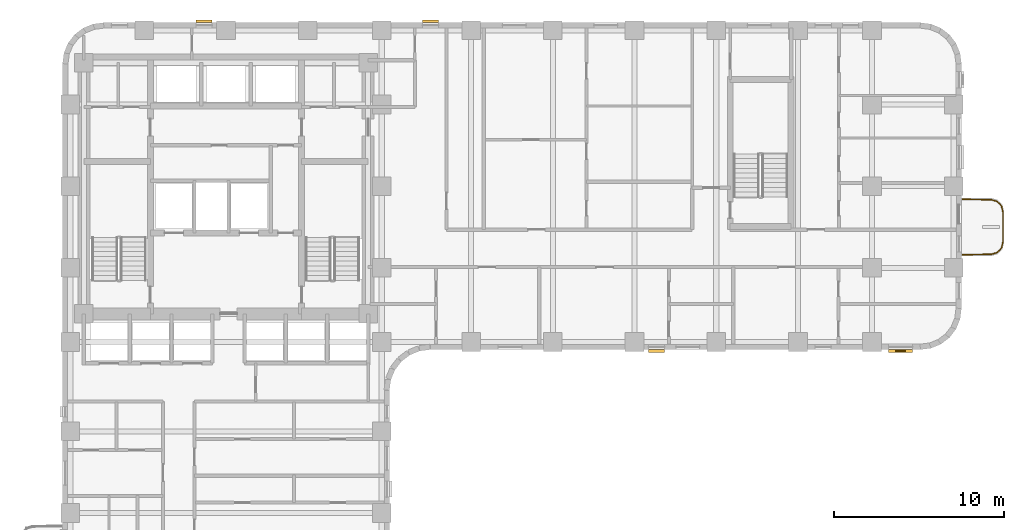
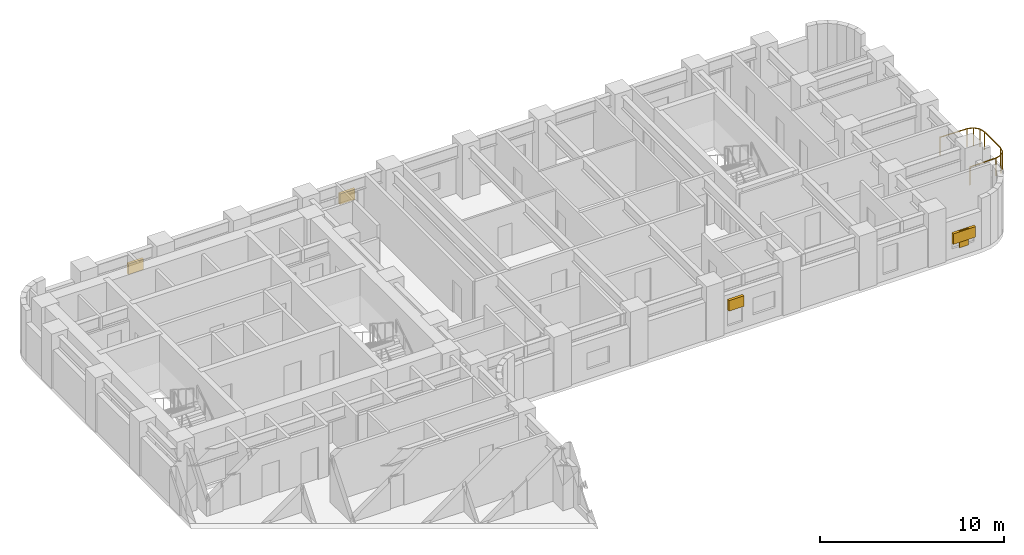
# One storey, part 10 of 12: 5 shading devices, 1 railing.
"""IFC4 building model written with IfcOpenShell, lengths in metres."""

import ifcopenshell
import ifcopenshell.guid

model = None  # the IFC model being written
_history = None  # IfcOwnerHistory: only IFC2X3 demands one
_inside = {}  # id of a spatial element -> (the spatial element, [elements in it])
_under = {}  # id of a project, library or spatial element -> (it, [spatial elements below it])
_declared = {}  # id of a project -> (the project, [libraries it declares])
_typed = {}  # id of a type object -> (the type object, [elements of that type])
_made_of = {}  # id of a material, layer set ... -> (it, [elements and type objects made of it])


def new_model(schema):
    """Start an empty IFC model of exactly this schema.

    Asked for "IFC4X3", IfcOpenShell would pick the latest addendum, in which some entities
    have other attributes; the version numbers below select the first issue.
    IFC2X3 requires an IfcOwnerHistory on every rooted entity: one is made here for all.
    """
    global model, _history
    if schema == "IFC4X3":
        model = ifcopenshell.file(schema_version=(4, 3, 0, 0))
    else:
        model = ifcopenshell.file(schema=schema)
    _inside.clear()
    _under.clear()
    _declared.clear()
    _typed.clear()
    _made_of.clear()
    _history = None
    if model.schema == "IFC2X3":
        org = make("IfcOrganization", Name="unknown")
        user = make(
            "IfcPersonAndOrganization",
            ThePerson=make("IfcPerson", FamilyName="unknown"),
            TheOrganization=org,
        )
        app = make(
            "IfcApplication",
            ApplicationDeveloper=org,
            Version="unknown",
            ApplicationFullName="unknown",
            ApplicationIdentifier="unknown",
        )
        _history = make(
            "IfcOwnerHistory",
            OwningUser=user,
            OwningApplication=app,
            ChangeAction="ADDED",
            CreationDate=0,
        )
    return model


def make(cls, **values):
    """One entity of the class cls with the attributes given. An attribute that is None is left unset."""
    return model.create_entity(
        cls, **{name: value for name, value in values.items() if value is not None}
    )


def rooted(cls, **values):
    """An entity with a GlobalId (a new one), such as an element, a storey or a relation."""
    return make(cls, GlobalId=ifcopenshell.guid.new(), OwnerHistory=_history, **values)


def si_unit(unit_type, name, prefix=None):
    """IfcSIUnit, for example si_unit("LENGTHUNIT", "METRE", prefix="MILLI")."""
    return make("IfcSIUnit", UnitType=unit_type, Prefix=prefix, Name=name)


def assignment(units):
    """IfcUnitAssignment: the units of a project."""
    return None if units is None else make("IfcUnitAssignment", Units=units)


def point(xyz):
    """IfcCartesianPoint."""
    return None if xyz is None else make("IfcCartesianPoint", Coordinates=xyz)


def direction(xyz):
    """IfcDirection."""
    return None if xyz is None else make("IfcDirection", DirectionRatios=xyz)


def frame(location, z_axis=None, x_axis=None):
    """IfcAxis2Placement3D, a coordinate frame: its origin and axes. An axis left out is left unset."""
    return make(
        "IfcAxis2Placement3D",
        Location=point(location),
        Axis=direction(z_axis),
        RefDirection=direction(x_axis),
    )


def frame_2d(location, x_axis=None):
    """IfcAxis2Placement2D, a coordinate frame in the plane: its origin and x axis."""
    return make(
        "IfcAxis2Placement2D", Location=point(location), RefDirection=direction(x_axis)
    )


def origin():
    """The frame at (0, 0, 0) with its axes left unset."""
    return frame((0.0, 0.0, 0.0))


def origin_2d():
    """The frame at (0, 0) in the plane with its x axis left unset."""
    return frame_2d((0.0, 0.0))


def place(relative_to, where):
    """IfcLocalPlacement: puts the frame where relative to a parent placement (None: the world)."""
    return make(
        "IfcLocalPlacement", PlacementRelTo=relative_to, RelativePlacement=where
    )


def context(
    kind, dimensions, precision=None, world=None, true_north=None, identifier=None
):
    """IfcGeometricRepresentationContext, for example the 3D "Model" context."""
    return make(
        "IfcGeometricRepresentationContext",
        ContextIdentifier=identifier,
        ContextType=kind,
        CoordinateSpaceDimension=dimensions,
        Precision=precision,
        WorldCoordinateSystem=world,
        TrueNorth=true_north,
    )


def subcontext(parent, identifier, kind, view, scale=None):
    """IfcGeometricRepresentationSubContext, for example "Body" below "Model"."""
    return make(
        "IfcGeometricRepresentationSubContext",
        ContextIdentifier=identifier,
        ContextType=kind,
        ParentContext=parent,
        TargetScale=scale,
        TargetView=view,
    )


def project(units=None, contexts=None):
    """IfcProject with its units and contexts."""
    return rooted(
        "IfcProject",
        Name="project",
        RepresentationContexts=contexts,
        UnitsInContext=assignment(units),
    )


def spatial(cls, under=None, at=None, **own):
    """A site, building, storey or space (cls), placed at a placement, below another one or the project."""
    s = rooted(cls, ObjectPlacement=at, **own)
    if under is not None:
        _under.setdefault(under.id(), (under, []))[1].append(s)
    return s


def profile(cls, at=None, kind="AREA", **sizes):
    """A parametric profile (cls). Its sizes go by their IFC names, for example OverallWidth=200.0."""
    return make(cls, ProfileType=kind, Position=at, **sizes)


def rectangle(**sizes):
    """IfcRectangleProfileDef."""
    return profile("IfcRectangleProfileDef", **sizes)


def extrude(swept, where, along, depth):
    """IfcExtrudedAreaSolid: the profile swept, set in the frame where, extruded along a direction by depth."""
    return make(
        "IfcExtrudedAreaSolid",
        SweptArea=swept,
        Position=where,
        ExtrudedDirection=direction(along),
        Depth=depth,
    )


def shape(context_of_items, identifier, shape_type, items):
    """IfcShapeRepresentation: the items that make up one representation, for example the "Body"."""
    return make(
        "IfcShapeRepresentation",
        ContextOfItems=context_of_items,
        RepresentationIdentifier=identifier,
        RepresentationType=shape_type,
        Items=items,
    )


def material(Name=None, Category=None):
    """IfcMaterial."""
    return make("IfcMaterial", Name=Name, Category=Category)


def made_of(thing, what):
    """Note that an element or type object is made of a material, layer set ...; save() writes the relation."""
    if what is not None:
        _made_of.setdefault(what.id(), (what, []))[1].append(thing)
    return thing


def type_object(cls, material=None, **own):
    """A type object (cls), such as IfcWallType, which elements share."""
    return made_of(rooted(cls, **own), material)


def element(
    cls,
    number,
    at=None,
    inside=None,
    cuts=None,
    type_object=None,
    material=None,
    context=None,
    identifier="Body",
    shape_type=None,
    held_by="IfcProductDefinitionShape",
    body=None,
    shapes=None,
    **own,
):
    """One element of the class cls, such as IfcWall. Its Tag is "e" and its number.

    at: its placement. inside: the storey or other place that contains it. cuts: it is an
    opening in that element (IfcRelVoidsElement). A single representation is given by context,
    identifier, shape_type and body (its items); several are given by shapes. held_by: the class
    of the entity that holds the representations. save() writes the other relations.
    """
    e = rooted(cls, Tag="e%d" % number, ObjectPlacement=at, **own)
    if body is not None:
        shapes = [shape(context, identifier, shape_type, body)]
    if shapes is not None:
        e.Representation = make(held_by, Representations=shapes)
    if inside is not None:
        _inside.setdefault(inside.id(), (inside, []))[1].append(e)
    if cuts is not None:
        rooted(
            "IfcRelVoidsElement", RelatingBuildingElement=cuts, RelatedOpeningElement=e
        )
    if type_object is not None:
        _typed.setdefault(type_object.id(), (type_object, []))[1].append(e)
    return made_of(e, material)


def aggregate(whole, parts):
    """IfcRelAggregates: a whole, such as a stair, and the parts it consists of."""
    return rooted("IfcRelAggregates", RelatingObject=whole, RelatedObjects=parts)


def save(model, path):
    """Write the relations noted so far, then the file.

    IfcRelAggregates (storeys below a building ...), IfcRelContainedInSpatialStructure (elements
    in a storey), IfcRelDefinesByType, IfcRelAssociatesMaterial and IfcRelDeclares: one each for
    every whole, place, type object, material and project.
    """
    for whole, parts in _under.values():
        aggregate(whole, parts)
    for where, things in _inside.values():
        rooted(
            "IfcRelContainedInSpatialStructure",
            RelatedElements=things,
            RelatingStructure=where,
        )
    for kind, things in _typed.values():
        rooted("IfcRelDefinesByType", RelatedObjects=things, RelatingType=kind)
    for what, things in _made_of.values():
        rooted("IfcRelAssociatesMaterial", RelatedObjects=things, RelatingMaterial=what)
    for by, libraries in _declared.values():
        rooted("IfcRelDeclares", RelatingContext=by, RelatedDefinitions=libraries)
    model.write(path)


model = new_model("IFC4")

# Units and contexts
model_context = context("Model", 3, precision=1e-05, world=origin(), true_north=direction((0.0, 1.0)))
body_context = subcontext(model_context, "Body", "Model", "MODEL_VIEW")
ifc_project = project(units=[si_unit("LENGTHUNIT", "METRE"), si_unit("AREAUNIT", "SQUARE_METRE"), si_unit("VOLUMEUNIT", "CUBIC_METRE"), si_unit("PLANEANGLEUNIT", "RADIAN"), si_unit("MASSUNIT", "GRAM", prefix="KILO")], contexts=[model_context])

# Site, building, storey
site_placement = place(None, origin())
site = spatial("IfcSite", under=ifc_project, at=site_placement, CompositionType="ELEMENT")
building_placement = place(site_placement, origin())
building = spatial("IfcBuilding", under=site, at=building_placement, Name="Orvandelia Arch Residences", CompositionType="ELEMENT")
storey_placement = place(building_placement, frame((0.0, 0.0, 43.0)))
storey = spatial("IfcBuildingStorey", under=building, at=storey_placement, Name="L10", CompositionType="ELEMENT", Elevation=43.0)

# Railing
ifc_material_1 = material(Name="Marine-Grade Stainless Steel 316", Category="steel")
railing_type = type_object("IfcRailingType", Name="GRD-BAL-1200", PredefinedType="BALUSTRADE", material=ifc_material_1)
railing_placement = place(storey_placement, frame((57.671875, 34.36962890625, 0.0)))
element("IfcRailing", 1, at=railing_placement, inside=storey, type_object=railing_type, Name="Safety Balustrade Guard GRD-L10-BAL-L10-E1-1", PredefinedType="BALUSTRADE", context=body_context, shape_type="SweptSolid", body=[
    extrude(rectangle(XDim=0.048095703125, YDim=0.048095703125, at=origin_2d()), frame((0.0, 0.0, 1.19580078125), z_axis=(0.999837384468, 0.018033430643, 0.0), x_axis=(-0.018033430643, 0.999837384468, 0.0)), (0.0, 0.0, 1.0), 1.6787109375),
    extrude(rectangle(XDim=0.048095703125, YDim=0.048095703125, at=origin_2d()), frame((1.678466796875, 0.0302734375, 1.19580078125), z_axis=(0.963441293861, 0.267919527627, 0.0), x_axis=(-0.267919527627, 0.963441293861, 0.0)), (0.0, 0.0, 1.0), 0.365478515625),
    extrude(rectangle(XDim=0.048095703125, YDim=0.048095703125, at=origin_2d()), frame((2.030517578125, 0.128173828125, 1.19580078125), z_axis=(0.688296224633, 0.725429739642, 0.0), x_axis=(-0.725429739642, 0.688296224633, 0.0)), (0.0, 0.0, 1.0), 0.3681640625),
    extrude(rectangle(XDim=0.048095703125, YDim=0.048095703125, at=origin_2d()), frame((2.283935546875, 0.395263671875, 1.19580078125), z_axis=(0.221225034864, 0.975222786828, 0.0), x_axis=(-0.975222786828, 0.221225034864, 0.0)), (0.0, 0.0, 1.0), 0.373046875),
    extrude(rectangle(XDim=0.048095703125, YDim=0.048095703125, at=origin_2d()), frame((2.366455078125, 0.759033203125, 1.19580078125), z_axis=(0.0, 1.0, 0.0), x_axis=(-1.0, 0.0, 0.0)), (0.0, 0.0, 1.0), 1.74267578125),
    extrude(rectangle(XDim=0.048095703125, YDim=0.048095703125, at=origin_2d()), frame((2.366455078125, 2.501708984375, 1.19580078125), z_axis=(-0.221225034864, 0.975222786828, 0.0), x_axis=(-0.975222786828, -0.221225034864, 0.0)), (0.0, 0.0, 1.0), 0.373046875),
    extrude(rectangle(XDim=0.048095703125, YDim=0.048095703125, at=origin_2d()), frame((2.283935546875, 2.865478515625, 1.19580078125), z_axis=(-0.688296224633, 0.725429739642, 0.0), x_axis=(-0.725429739642, -0.688296224633, 0.0)), (0.0, 0.0, 1.0), 0.3681640625),
    extrude(rectangle(XDim=0.048095703125, YDim=0.048095703125, at=origin_2d()), frame((2.030517578125, 3.132568359375, 1.19580078125), z_axis=(-0.963441293861, 0.267919527627, 0.0), x_axis=(-0.267919527627, -0.963441293861, 0.0)), (0.0, 0.0, 1.0), 0.365478515625),
    extrude(rectangle(XDim=0.048095703125, YDim=0.048095703125, at=origin_2d()), frame((1.678466796875, 3.23046875, 1.19580078125), z_axis=(-0.999837384468, 0.018033430643, 0.0), x_axis=(-0.018033430643, -0.999837384468, 0.0)), (0.0, 0.0, 1.0), 1.6787109375),
    extrude(rectangle(XDim=0.0419921875, YDim=0.0419921875, at=origin_2d()), origin(), (0.0, 0.0, 1.0), 1.171875),
    extrude(rectangle(XDim=0.0419921875, YDim=0.0419921875, at=origin_2d()), frame((1.678466796875, 0.0302734375, 0.0)), (0.0, 0.0, 1.0), 1.171875),
    extrude(rectangle(XDim=0.0419921875, YDim=0.0419921875, at=origin_2d()), frame((2.030517578125, 0.128173828125, 0.0)), (0.0, 0.0, 1.0), 1.171875),
    extrude(rectangle(XDim=0.0419921875, YDim=0.0419921875, at=origin_2d()), frame((2.283935546875, 0.395263671875, 0.0)), (0.0, 0.0, 1.0), 1.171875),
    extrude(rectangle(XDim=0.0419921875, YDim=0.0419921875, at=origin_2d()), frame((2.366455078125, 0.759033203125, 0.0)), (0.0, 0.0, 1.0), 1.171875),
    extrude(rectangle(XDim=0.0419921875, YDim=0.0419921875, at=origin_2d()), frame((2.366455078125, 2.501708984375, 0.0)), (0.0, 0.0, 1.0), 1.171875),
    extrude(rectangle(XDim=0.0419921875, YDim=0.0419921875, at=origin_2d()), frame((2.283935546875, 2.865478515625, 0.0)), (0.0, 0.0, 1.0), 1.171875),
    extrude(rectangle(XDim=0.0419921875, YDim=0.0419921875, at=origin_2d()), frame((2.030517578125, 3.132568359375, 0.0)), (0.0, 0.0, 1.0), 1.171875),
    extrude(rectangle(XDim=0.0419921875, YDim=0.0419921875, at=origin_2d()), frame((1.678466796875, 3.23046875, 0.0)), (0.0, 0.0, 1.0), 1.171875),
    extrude(rectangle(XDim=0.0419921875, YDim=0.0419921875, at=origin_2d()), frame((0.0, 3.2607421875, 0.0)), (0.0, 0.0, 1.0), 1.171875),
])

# Shading devices
ifc_material_2 = material(Name="Anodised Champagne-Bronze Extruded Aluminium", Category="aluminium")
shading_device_type_1 = type_object("IfcShadingDeviceType", Name="SHD-JALOUSIE-SCREEN", PredefinedType="JALOUSIE", material=ifc_material_2)
for number, where, z_axis, x_axis, name in (
    (2, (26.4150390625, 48.080078125, 1.5498046875), (0.0, 0.0, 1.0), (1.0, 0.0, 0.0), "Bronze Jalousie Sun-Shade L10-001"),
    (3, (13.114990234375, 48.080078125, 1.5498046875), (0.0, 0.0, 1.0), (1.0, 0.0, 0.0), "Bronze Jalousie Sun-Shade L10-002"),
    (4, (39.69091796875, 28.719970703125, 1.5498046875), (0.0, 0.0, 1.0), (-1.0, 0.0, 0.0), "Bronze Jalousie Sun-Shade L10-005"),
):
    element("IfcShadingDevice", number, at=place(storey_placement, frame(where, z_axis=z_axis, x_axis=x_axis)), inside=storey, type_object=shading_device_type_1, Name=name, PredefinedType="JALOUSIE", context=body_context, shape_type="SweptSolid", body=[
        extrude(rectangle(XDim=0.949951171875, YDim=0.159912109375, at=origin_2d()), origin(), (0.0, 0.0, 1.0), 0.699951171875),
    ])
shading_device_1_placement = place(storey_placement, frame((54.030029296875, 28.719970703125, 1.0498046875), z_axis=(0.0, 0.0, 1.0), x_axis=(-1.0, 0.0, 0.0)))
element("IfcShadingDevice", 5, at=shading_device_1_placement, inside=storey, type_object=shading_device_type_1, Name="Bronze Jalousie Sun-Shade L10-006", PredefinedType="JALOUSIE", context=body_context, shape_type="SweptSolid", body=[
    extrude(rectangle(XDim=1.39990234375, YDim=0.159912109375, at=origin_2d()), origin(), (0.0, 0.0, 1.0), 0.699951171875),
])
ifc_material_3 = material(Name="Marine-Grade Perforated Aluminium Storm Shutter", Category="aluminium")
shading_device_type_2 = type_object("IfcShadingDeviceType", Name="SHD-STORM-SHUTTER", PredefinedType="SHUTTER", material=ifc_material_3)
shading_device_2_placement = place(storey_placement, frame((54.030029296875, 28.719970703125, 0.64990234375), z_axis=(0.0, 0.0, 1.0), x_axis=(-1.0, 0.0, 0.0)))
element("IfcShadingDevice", 6, at=shading_device_2_placement, inside=storey, type_object=shading_device_type_2, Name="Operable Typhoon Storm Shutter L10-006", PredefinedType="SHUTTER", context=body_context, shape_type="SweptSolid", body=[
    extrude(rectangle(XDim=0.550048828125, YDim=0.080078125, at=origin_2d()), origin(), (0.0, 0.0, 1.0), 1.10009765625),
])

save(model, "model.ifc")
